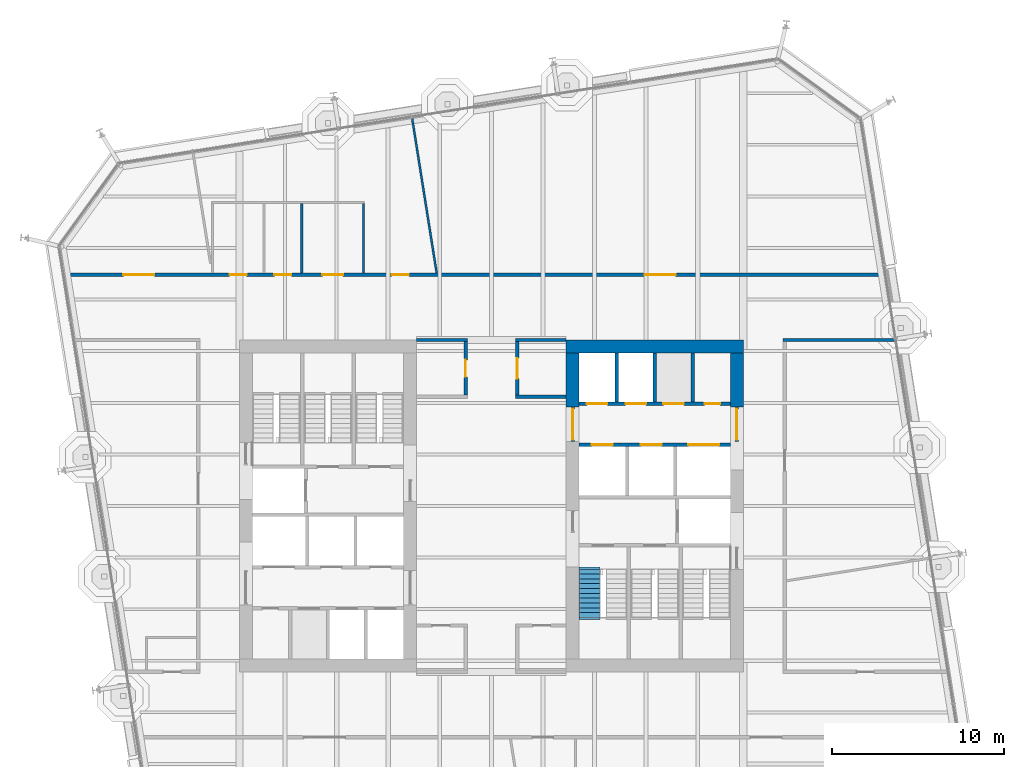
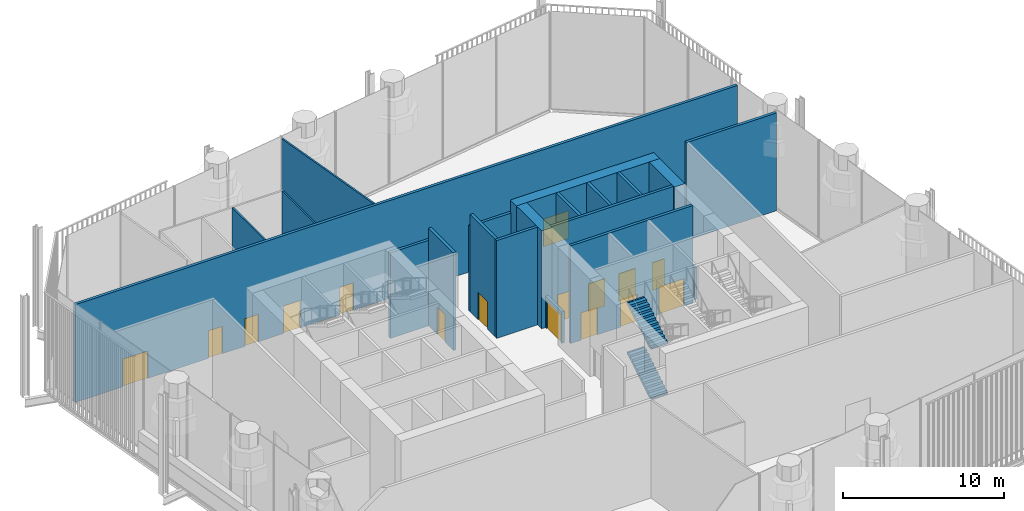
# One storey, part 13 of 19: 20 walls, 17 doors, 2 stair flights, 17 openings, 1 element without a shape of its own.
"""IFC4 building model written with IfcOpenShell, lengths in metres."""

from ifc_helpers import new_model, si_unit, direction, frame, frame_2d, origin, place, context, subcontext, project, spatial, polyline, rectangle, outline, extrude, material, layer, layer_set, type_object, element, fill, aggregate, save


model = new_model("IFC4")

# Units and contexts
model_context = context("Model", 3, precision=1e-05, world=origin(), true_north=direction((0.0, 1.0)))
body_context = subcontext(model_context, "Body", "Model", "MODEL_VIEW")
ifc_project = project(units=[si_unit("LENGTHUNIT", "METRE"), si_unit("AREAUNIT", "SQUARE_METRE"), si_unit("VOLUMEUNIT", "CUBIC_METRE"), si_unit("PLANEANGLEUNIT", "RADIAN"), si_unit("MASSUNIT", "GRAM", prefix="KILO")], contexts=[model_context])

# Site, building, storey
site_placement = place(None, origin())
site = spatial("IfcSite", under=ifc_project, at=site_placement, CompositionType="ELEMENT")
building_placement = place(site_placement, origin())
building = spatial("IfcBuilding", under=site, at=building_placement, Name="Millrace Tower", CompositionType="ELEMENT")
storey_placement = place(building_placement, frame((0.0, 0.0, 172.39990234375)))
storey = spatial("IfcBuildingStorey", under=building, at=storey_placement, Name="L39", CompositionType="ELEMENT", Elevation=172.39990234375)

# Walls
ifc_material_1 = material(Name="Concrete C70", Category="concrete")
ifc_layer_1 = layer(ifc_material_1, 0.75)
ifc_layer_set_1 = layer_set([ifc_layer_1], Name="Concrete C70")
wall_type_1 = type_object("IfcWallType", Name="Core wall 750 Concrete C70", PredefinedType="SHEAR", material=ifc_layer_set_1)
wall_1_placement = place(storey_placement, frame((14.64990234375, 9.27490234375, 0.0), z_axis=(0.0, 0.0, 1.0), x_axis=(-1.0, 0.0, 0.0)))
element("IfcWall", 1, at=wall_1_placement, inside=storey, type_object=wall_type_1, Name="Core wall E L39", PredefinedType="SHEAR", context=body_context, shape_type="SweptSolid", body=[
    extrude(rectangle(XDim=10.2998046875, YDim=0.75, at=frame_2d((5.14990234375, 0.0))), origin(), (0.0, 0.0, 1.0), 7.440185546875),
])
for number, where, z_axis, x_axis, name in (
    (2, (14.27490234375, 8.89990234375, 0.0), (0.0, 0.0, 1.0), (0.0, -1.0, 0.0), "Core wall E L39"),
    (3, (4.72509765625, 8.89990234375, 0.0), (0.0, 0.0, 1.0), (0.0, -1.0, 0.0), "Core wall E L39"),
):
    element("IfcWall", number, at=place(storey_placement, frame(where, z_axis=z_axis, x_axis=x_axis)), inside=storey, type_object=wall_type_1, Name=name, PredefinedType="SHEAR", context=body_context, shape_type="SweptSolid", body=[
        extrude(rectangle(XDim=3.14990234375, YDim=0.75, at=frame_2d((1.574951171875, 0.0))), origin(), (0.0, 0.0, 1.0), 7.440185546875),
    ])
ifc_material_2 = material(Name="Masonry partition, fire-rated", Category="masonry")
ifc_layer_2 = layer(ifc_material_2, 0.199951171875)
ifc_layer_set_2 = layer_set([ifc_layer_2], Name="Masonry partition, fire-rated")
wall_type_2 = type_object("IfcWallType", Name="Corridor wall 200", PredefinedType="PARTITIONING", material=ifc_layer_set_2)
wall_2_placement = place(storey_placement, frame((1.39990234375, 6.35009765625, 0.0), z_axis=(0.0, 0.0, 1.0), x_axis=(1.0, 0.0, 0.0)))
element("IfcWall", 4, at=wall_2_placement, inside=storey, type_object=wall_type_2, Name="Corridor wall L39", PredefinedType="PARTITIONING", context=body_context, shape_type="SweptSolid", body=[
    extrude(rectangle(XDim=2.9501953125, YDim=0.199951171875, at=frame_2d((1.47509765625, 0.0))), origin(), (0.0, 0.0, 1.0), 7.440185546875),
])
for number, where, z_axis, x_axis, name in (
    (5, (-4.35009765625, 9.64990234375, 0.0), (0.0, 0.0, 1.0), (1.0, 0.0, 0.0), "Corridor wall L39"),
    (6, (1.39990234375, 9.64990234375, 0.0), (0.0, 0.0, 1.0), (1.0, 0.0, 0.0), "Corridor wall L39"),
):
    element("IfcWall", number, at=place(storey_placement, frame(where, z_axis=z_axis, x_axis=x_axis)), inside=storey, type_object=wall_type_2, Name=name, PredefinedType="PARTITIONING", context=body_context, shape_type="SweptSolid", body=[
        extrude(rectangle(XDim=2.9501953125, YDim=0.199951171875, at=frame_2d((1.47509765625, 0.0))), origin(), (0.0, 0.0, 1.0), 6.512939453125),
    ])
wall_3_placement = place(storey_placement, frame((16.949951171875, 9.64990234375, 0.0), z_axis=(0.0, 0.0, 1.0), x_axis=(1.0, 0.0, 0.0)))
element("IfcWall", 7, at=wall_3_placement, inside=storey, type_object=wall_type_2, Name="Corridor wall L39", PredefinedType="PARTITIONING", context=body_context, shape_type="SweptSolid", body=[
    extrude(rectangle(XDim=6.489501953125, YDim=0.199951171875, at=frame_2d((3.24462890625, 0.0))), origin(), (0.0, 0.0, 1.0), 7.440185546875),
])

# Wall, openings, doors
wall_4_placement = place(storey_placement, frame((-24.80908203125, 13.449951171875, 0.0), z_axis=(0.0, 0.0, 1.0), x_axis=(1.0, 0.0, 0.0)))
wall_4 = element("IfcWall", 8, at=wall_4_placement, inside=storey, type_object=wall_type_2, Name="Corridor wall L39", PredefinedType="PARTITIONING", context=body_context, shape_type="SweptSolid", body=[
    extrude(rectangle(XDim=47.646728515625, YDim=0.199951171875, at=frame_2d((23.8232421875, 0.0))), origin(), (0.0, 0.0, 1.0), 7.440185546875),
])
opening_1_placement = place(wall_4_placement, frame((3.41845703125, 0.0, 0.0)))
opening_1 = element("IfcOpeningElement", 9, at=opening_1_placement, cuts=wall_4, Name="Opening 39-P005", PredefinedType="OPENING", context=body_context, shape_type="SweptSolid", body=[
    extrude(rectangle(XDim=1.800048828125, YDim=2.10009765625, at=frame_2d((0.89990234375, 1.050048828125))), frame((0.0, 0.10986328125, 0.0), z_axis=(0.0, -1.0, 0.0), x_axis=(1.0, 0.0, 0.0)), (0.0, 0.0, 1.0), 0.219970703125),
])
opening_2_placement = place(wall_4_placement, frame((19.01611328125, 0.0, 0.0)))
opening_2 = element("IfcOpeningElement", 10, at=opening_2_placement, cuts=wall_4, Name="Opening 39-P006", PredefinedType="OPENING", context=body_context, shape_type="SweptSolid", body=[
    extrude(rectangle(XDim=1.0, YDim=2.10009765625, at=frame_2d((0.5, 1.050048828125))), frame((0.0, 0.10986328125, 0.0), z_axis=(0.0, -1.0, 0.0), x_axis=(1.0, 0.0, 0.0)), (0.0, 0.0, 1.0), 0.219970703125),
])
opening_3_placement = place(wall_4_placement, frame((9.5859375, 0.0, 0.0)))
opening_3 = element("IfcOpeningElement", 11, at=opening_3_placement, cuts=wall_4, Name="Opening 39-P007", PredefinedType="OPENING", context=body_context, shape_type="SweptSolid", body=[
    extrude(rectangle(XDim=1.0, YDim=2.10009765625, at=frame_2d((0.5, 1.050048828125))), frame((0.0, 0.10986328125, 0.0), z_axis=(0.0, -1.0, 0.0), x_axis=(1.0, 0.0, 0.0)), (0.0, 0.0, 1.0), 0.219970703125),
])
opening_4_placement = place(wall_4_placement, frame((12.18603515625, 0.0, 0.0)))
opening_4 = element("IfcOpeningElement", 12, at=opening_4_placement, cuts=wall_4, Name="Opening 39-P008", PredefinedType="OPENING", context=body_context, shape_type="SweptSolid", body=[
    extrude(rectangle(XDim=1.0, YDim=2.10009765625, at=frame_2d((0.5, 1.050048828125))), frame((0.0, 0.10986328125, 0.0), z_axis=(0.0, -1.0, 0.0), x_axis=(1.0, 0.0, 0.0)), (0.0, 0.0, 1.0), 0.219970703125),
])
opening_5_placement = place(wall_4_placement, frame((14.986083984375, 0.0, 0.0)))
opening_5 = element("IfcOpeningElement", 13, at=opening_5_placement, cuts=wall_4, Name="Opening 39-P009", PredefinedType="OPENING", context=body_context, shape_type="SweptSolid", body=[
    extrude(rectangle(XDim=1.199951171875, YDim=2.10009765625, at=frame_2d((0.60009765625, 1.050048828125))), frame((0.0, 0.10986328125, 0.0), z_axis=(0.0, -1.0, 0.0), x_axis=(1.0, 0.0, 0.0)), (0.0, 0.0, 1.0), 0.219970703125),
])
opening_6_placement = place(wall_4_placement, frame((33.720947265625, 0.0, 0.0)))
opening_6 = element("IfcOpeningElement", 14, at=opening_6_placement, cuts=wall_4, Name="Opening 39-P010", PredefinedType="OPENING", context=body_context, shape_type="SweptSolid", body=[
    extrude(rectangle(XDim=1.800048828125, YDim=2.10009765625, at=frame_2d((0.89990234375, 1.050048828125))), frame((0.0, 0.10986328125, 0.0), z_axis=(0.0, -1.0, 0.0), x_axis=(1.0, 0.0, 0.0)), (0.0, 0.0, 1.0), 0.219970703125),
])
ifc_material_3 = material(Name="Steel door set, fire-rated", Category="steel")
door_type_1 = type_object("IfcDoorType", Name="Corridor door 1000 x 2100", OperationType="SINGLE_SWING_LEFT", PredefinedType="DOOR", material=ifc_material_3)
door_1_placement = place(opening_2_placement, origin())
door_1 = element("IfcDoor", 15, at=door_1_placement, inside=storey, type_object=door_type_1, Name="Door 39-P006", OperationType="SINGLE_SWING_LEFT", OverallHeight=2.10009765625, OverallWidth=1.0, PredefinedType="DOOR", context=body_context, shape_type="SweptSolid", body=[
    extrude(rectangle(XDim=1.0, YDim=2.10009765625, at=frame_2d((0.5, 1.050048828125))), frame((0.0, 0.02490234375, 0.0), z_axis=(0.0, -1.0, 0.0), x_axis=(1.0, 0.0, 0.0)), (0.0, 0.0, 1.0), 0.050048828125),
])
fill(opening_2, door_1)
door_2_placement = place(opening_3_placement, origin())
door_2 = element("IfcDoor", 16, at=door_2_placement, inside=storey, type_object=door_type_1, Name="Door 39-P007", OperationType="SINGLE_SWING_LEFT", OverallHeight=2.10009765625, OverallWidth=1.0, PredefinedType="DOOR", context=body_context, shape_type="SweptSolid", body=[
    extrude(rectangle(XDim=1.0, YDim=2.10009765625, at=frame_2d((0.5, 1.050048828125))), frame((0.0, 0.02490234375, 0.0), z_axis=(0.0, -1.0, 0.0), x_axis=(1.0, 0.0, 0.0)), (0.0, 0.0, 1.0), 0.050048828125),
])
fill(opening_3, door_2)
door_3_placement = place(opening_4_placement, origin())
door_3 = element("IfcDoor", 17, at=door_3_placement, inside=storey, type_object=door_type_1, Name="Door 39-P008", OperationType="SINGLE_SWING_LEFT", OverallHeight=2.10009765625, OverallWidth=1.0, PredefinedType="DOOR", context=body_context, shape_type="SweptSolid", body=[
    extrude(rectangle(XDim=1.0, YDim=2.10009765625, at=frame_2d((0.5, 1.050048828125))), frame((0.0, 0.02490234375, 0.0), z_axis=(0.0, -1.0, 0.0), x_axis=(1.0, 0.0, 0.0)), (0.0, 0.0, 1.0), 0.050048828125),
])
fill(opening_4, door_3)
ifc_material_4 = material(Name="Steel door set, fire-rated", Category="steel")
door_type_2 = type_object("IfcDoorType", Name="Corridor door 1200 x 2100", OperationType="SINGLE_SWING_LEFT", PredefinedType="DOOR", material=ifc_material_4)
door_4_placement = place(opening_5_placement, origin())
door_4 = element("IfcDoor", 18, at=door_4_placement, inside=storey, type_object=door_type_2, Name="Door 39-P009", OperationType="SINGLE_SWING_LEFT", OverallHeight=2.10009765625, OverallWidth=1.199951171875, PredefinedType="DOOR", context=body_context, shape_type="SweptSolid", body=[
    extrude(rectangle(XDim=1.199951171875, YDim=2.10009765625, at=frame_2d((0.60009765625, 1.050048828125))), frame((0.0, 0.02490234375, 0.0), z_axis=(0.0, -1.0, 0.0), x_axis=(1.0, 0.0, 0.0)), (0.0, 0.0, 1.0), 0.050048828125),
])
fill(opening_5, door_4)
ifc_material_5 = material(Name="Steel door set, fire-rated", Category="steel")
door_type_3 = type_object("IfcDoorType", Name="Corridor door 1800 x 2100", OperationType="DOUBLE_DOOR_SINGLE_SWING", PredefinedType="DOOR", material=ifc_material_5)
door_5_placement = place(opening_1_placement, origin())
door_5 = element("IfcDoor", 19, at=door_5_placement, inside=storey, type_object=door_type_3, Name="Door 39-P005", OperationType="DOUBLE_DOOR_SINGLE_SWING", OverallHeight=2.10009765625, OverallWidth=1.800048828125, PredefinedType="DOOR", context=body_context, shape_type="SweptSolid", body=[
    extrude(rectangle(XDim=1.800048828125, YDim=2.10009765625, at=frame_2d((0.89990234375, 1.050048828125))), frame((0.0, 0.02490234375, 0.0), z_axis=(0.0, -1.0, 0.0), x_axis=(1.0, 0.0, 0.0)), (0.0, 0.0, 1.0), 0.050048828125),
])
fill(opening_1, door_5)
door_6_placement = place(opening_6_placement, frame((1.800048828125, 0.0, 0.0), z_axis=(0.0, 0.0, 1.0), x_axis=(-1.0, 0.0, 0.0)))
door_6 = element("IfcDoor", 20, at=door_6_placement, inside=storey, type_object=door_type_3, Name="Door 39-P010", OperationType="DOUBLE_DOOR_SINGLE_SWING", OverallHeight=2.10009765625, OverallWidth=1.800048828125, PredefinedType="DOOR", context=body_context, shape_type="SweptSolid", body=[
    extrude(rectangle(XDim=1.800048828125, YDim=2.10009765625, at=frame_2d((0.89990234375, 1.050048828125))), frame((0.0, 0.02490234375, 0.0), z_axis=(0.0, -1.0, 0.0), x_axis=(1.0, 0.0, 0.0)), (0.0, 0.0, 1.0), 0.050048828125),
])
fill(opening_6, door_6)

# Wall, opening, door
wall_5_placement = place(storey_placement, frame((1.5, 6.449951171875, 0.0), z_axis=(0.0, 0.0, 1.0), x_axis=(0.0, 1.0, 0.0)))
wall_5 = element("IfcWall", 21, at=wall_5_placement, inside=storey, type_object=wall_type_2, Name="Corridor wall L39", PredefinedType="PARTITIONING", context=body_context, shape_type="SweptSolid", body=[
    extrude(rectangle(XDim=3.10009765625, YDim=0.199951171875, at=frame_2d((1.550048828125, 0.0))), origin(), (0.0, 0.0, 1.0), 7.440185546875),
])
opening_7_placement = place(wall_5_placement, frame((0.949951171875, 0.0, 0.0)))
opening_7 = element("IfcOpeningElement", 22, at=opening_7_placement, cuts=wall_5, Name="Opening 39-P002", PredefinedType="OPENING", context=body_context, shape_type="SweptSolid", body=[
    extrude(rectangle(XDim=1.199951171875, YDim=2.10009765625, at=frame_2d((0.60009765625, 1.050048828125))), frame((0.0, 0.10986328125, 0.0), z_axis=(0.0, -1.0, 0.0), x_axis=(1.0, 0.0, 0.0)), (0.0, 0.0, 1.0), 0.219970703125),
])
door_7_placement = place(opening_7_placement, frame((1.199951171875, 0.0, 0.0), z_axis=(0.0, 0.0, 1.0), x_axis=(-1.0, 0.0, 0.0)))
door_7 = element("IfcDoor", 23, at=door_7_placement, inside=storey, type_object=door_type_2, Name="Door 39-P002", OperationType="SINGLE_SWING_LEFT", OverallHeight=2.10009765625, OverallWidth=1.199951171875, PredefinedType="DOOR", context=body_context, shape_type="SweptSolid", body=[
    extrude(rectangle(XDim=1.199951171875, YDim=2.10009765625, at=frame_2d((0.60009765625, 1.050048828125))), frame((0.0, 0.02490234375, 0.0), z_axis=(0.0, -1.0, 0.0), x_axis=(1.0, 0.0, 0.0)), (0.0, 0.0, 1.0), 0.050048828125),
])
fill(opening_7, door_7)

wall_6_placement = place(storey_placement, frame((-1.5, 6.449951171875, 0.0), z_axis=(0.0, 0.0, 1.0), x_axis=(0.0, 1.0, 0.0)))
wall_6 = element("IfcWall", 24, at=wall_6_placement, inside=storey, type_object=wall_type_2, Name="Corridor wall L39", PredefinedType="PARTITIONING", context=body_context, shape_type="SweptSolid", body=[
    extrude(rectangle(XDim=3.10009765625, YDim=0.199951171875, at=frame_2d((1.550048828125, 0.0))), origin(), (0.0, 0.0, 1.0), 7.440185546875),
])
opening_8_placement = place(wall_6_placement, frame((1.050048828125, 0.0, 0.0)))
opening_8 = element("IfcOpeningElement", 25, at=opening_8_placement, cuts=wall_6, Name="Opening 39-P001", PredefinedType="OPENING", context=body_context, shape_type="SweptSolid", body=[
    extrude(rectangle(XDim=1.0, YDim=2.10009765625, at=frame_2d((0.5, 1.050048828125))), frame((0.0, 0.10986328125, 0.0), z_axis=(0.0, -1.0, 0.0), x_axis=(1.0, 0.0, 0.0)), (0.0, 0.0, 1.0), 0.219970703125),
])
door_8_placement = place(opening_8_placement, origin())
door_8 = element("IfcDoor", 26, at=door_8_placement, inside=storey, type_object=door_type_1, Name="Door 39-P001", OperationType="SINGLE_SWING_RIGHT", OverallHeight=2.10009765625, OverallWidth=1.0, PredefinedType="DOOR", context=body_context, shape_type="SweptSolid", body=[
    extrude(rectangle(XDim=1.0, YDim=2.10009765625, at=frame_2d((0.5, 1.050048828125))), frame((0.0, 0.02490234375, 0.0), z_axis=(0.0, -1.0, 0.0), x_axis=(1.0, 0.0, 0.0)), (0.0, 0.0, 1.0), 0.050048828125),
])
fill(opening_8, door_8)

# Wall, openings, doors
ifc_material_6 = material(Name="Masonry partition, fire-rated", Category="masonry")
ifc_layer_3 = layer(ifc_material_6, 0.199951171875)
ifc_layer_set_3 = layer_set([ifc_layer_3], Name="Masonry partition, fire-rated")
wall_type_3 = type_object("IfcWallType", Name="Lift shaft wall 200", PredefinedType="PARTITIONING", material=ifc_layer_set_3)
wall_7_placement = place(storey_placement, frame((13.89990234375, 5.949951171875, 0.0), z_axis=(0.0, 0.0, 1.0), x_axis=(-1.0, 0.0, 0.0)))
wall_7 = element("IfcWall", 27, at=wall_7_placement, inside=storey, type_object=wall_type_3, Name="Lift shaft wall E L39", PredefinedType="PARTITIONING", context=body_context, shape_type="SweptSolid", body=[
    extrude(rectangle(XDim=8.7998046875, YDim=0.199951171875, at=frame_2d((4.39990234375, 0.0))), origin(), (0.0, 0.0, 1.0), 7.440185546875),
])
opening_9_placement = place(wall_7_placement, frame((2.699951171875, 0.0, 0.0)))
opening_9 = element("IfcOpeningElement", 28, at=opening_9_placement, cuts=wall_7, Name="Opening 39-LD10", PredefinedType="OPENING", context=body_context, shape_type="SweptSolid", body=[
    extrude(rectangle(XDim=1.199951171875, YDim=2.10009765625, at=frame_2d((0.60009765625, 1.050048828125))), frame((0.0, 0.10986328125, 0.0), z_axis=(0.0, -1.0, 0.0), x_axis=(1.0, 0.0, 0.0)), (0.0, 0.0, 1.0), 0.219970703125),
])
opening_10_placement = place(wall_7_placement, frame((4.89990234375, 0.0, 0.0)))
opening_10 = element("IfcOpeningElement", 29, at=opening_10_placement, cuts=wall_7, Name="Opening 39-LD11", PredefinedType="OPENING", context=body_context, shape_type="SweptSolid", body=[
    extrude(rectangle(XDim=1.199951171875, YDim=2.10009765625, at=frame_2d((0.60009765625, 1.050048828125))), frame((0.0, 0.10986328125, 0.0), z_axis=(0.0, -1.0, 0.0), x_axis=(1.0, 0.0, 0.0)), (0.0, 0.0, 1.0), 0.219970703125),
])
opening_11_placement = place(wall_7_placement, frame((7.14990234375, 0.0, 0.0)))
opening_11 = element("IfcOpeningElement", 30, at=opening_11_placement, cuts=wall_7, Name="Opening 39-LD12", PredefinedType="OPENING", context=body_context, shape_type="SweptSolid", body=[
    extrude(rectangle(XDim=1.199951171875, YDim=2.10009765625, at=frame_2d((0.60009765625, 1.050048828125))), frame((0.0, 0.10986328125, 0.0), z_axis=(0.0, -1.0, 0.0), x_axis=(1.0, 0.0, 0.0)), (0.0, 0.0, 1.0), 0.219970703125),
])
opening_12_placement = place(wall_7_placement, frame((0.60009765625, 0.0, 0.0)))
opening_12 = element("IfcOpeningElement", 31, at=opening_12_placement, cuts=wall_7, Name="Opening 39-C012", PredefinedType="OPENING", context=body_context, shape_type="SweptSolid", body=[
    extrude(rectangle(XDim=0.89990234375, YDim=2.10009765625, at=frame_2d((0.449951171875, 1.050048828125))), frame((0.0, 0.10986328125, 0.0), z_axis=(0.0, -1.0, 0.0), x_axis=(1.0, 0.0, 0.0)), (0.0, 0.0, 1.0), 0.219970703125),
])
ifc_material_7 = material(Name="Stainless steel, fire-rated", Category="steel")
door_type_4 = type_object("IfcDoorType", Name="Lift landing door 1200 x 2100", OperationType="DOUBLE_DOOR_SLIDING", PredefinedType="DOOR", material=ifc_material_7)
door_9_placement = place(opening_9_placement, origin())
door_9 = element("IfcDoor", 32, at=door_9_placement, inside=storey, type_object=door_type_4, Name="Lift landing door LF10 L39", OperationType="DOUBLE_DOOR_SLIDING", OverallHeight=2.10009765625, OverallWidth=1.199951171875, PredefinedType="DOOR", context=body_context, shape_type="SweptSolid", body=[
    extrude(rectangle(XDim=1.199951171875, YDim=2.10009765625, at=frame_2d((0.60009765625, 1.050048828125))), frame((0.0, 0.02490234375, 0.0), z_axis=(0.0, -1.0, 0.0), x_axis=(1.0, 0.0, 0.0)), (0.0, 0.0, 1.0), 0.050048828125),
])
fill(opening_9, door_9)
door_10_placement = place(opening_10_placement, origin())
door_10 = element("IfcDoor", 33, at=door_10_placement, inside=storey, type_object=door_type_4, Name="Lift landing door LF11 L39", OperationType="DOUBLE_DOOR_SLIDING", OverallHeight=2.10009765625, OverallWidth=1.199951171875, PredefinedType="DOOR", context=body_context, shape_type="SweptSolid", body=[
    extrude(rectangle(XDim=1.199951171875, YDim=2.10009765625, at=frame_2d((0.60009765625, 1.050048828125))), frame((0.0, 0.02490234375, 0.0), z_axis=(0.0, -1.0, 0.0), x_axis=(1.0, 0.0, 0.0)), (0.0, 0.0, 1.0), 0.050048828125),
])
fill(opening_10, door_10)
door_11_placement = place(opening_11_placement, origin())
door_11 = element("IfcDoor", 34, at=door_11_placement, inside=storey, type_object=door_type_4, Name="Lift landing door LF12 L39", OperationType="DOUBLE_DOOR_SLIDING", OverallHeight=2.10009765625, OverallWidth=1.199951171875, PredefinedType="DOOR", context=body_context, shape_type="SweptSolid", body=[
    extrude(rectangle(XDim=1.199951171875, YDim=2.10009765625, at=frame_2d((0.60009765625, 1.050048828125))), frame((0.0, 0.02490234375, 0.0), z_axis=(0.0, -1.0, 0.0), x_axis=(1.0, 0.0, 0.0)), (0.0, 0.0, 1.0), 0.050048828125),
])
fill(opening_11, door_11)
ifc_material_8 = material(Name="Steel door, fire-rated", Category="steel")
door_type_5 = type_object("IfcDoorType", Name="Service room door 900 x 2100", OperationType="SINGLE_SWING_LEFT", PredefinedType="DOOR", material=ifc_material_8)
door_12_placement = place(opening_12_placement, frame((0.89990234375, 0.0, 0.0), z_axis=(0.0, 0.0, 1.0), x_axis=(-1.0, 0.0, 0.0)))
door_12 = element("IfcDoor", 35, at=door_12_placement, inside=storey, type_object=door_type_5, Name="Service room door 39-C012", OperationType="SINGLE_SWING_RIGHT", OverallHeight=2.10009765625, OverallWidth=0.89990234375, PredefinedType="DOOR", context=body_context, shape_type="SweptSolid", body=[
    extrude(rectangle(XDim=0.89990234375, YDim=2.10009765625, at=frame_2d((0.449951171875, 1.050048828125))), frame((0.0, 0.02490234375, 0.0), z_axis=(0.0, -1.0, 0.0), x_axis=(1.0, 0.0, 0.0)), (0.0, 0.0, 1.0), 0.050048828125),
])
fill(opening_12, door_12)

wall_8_placement = place(storey_placement, frame((13.89990234375, 3.550048828125, 0.0), z_axis=(0.0, 0.0, 1.0), x_axis=(-1.0, 0.0, 0.0)))
wall_8 = element("IfcWall", 36, at=wall_8_placement, inside=storey, type_object=wall_type_3, Name="Lift shaft wall E L39", PredefinedType="PARTITIONING", context=body_context, shape_type="SweptSolid", body=[
    extrude(rectangle(XDim=8.7998046875, YDim=0.199951171875, at=frame_2d((4.39990234375, 0.0))), origin(), (0.0, 0.0, 1.0), 7.440185546875),
])
opening_13_placement = place(wall_8_placement, frame((0.64990234375, 0.0, 0.0)))
opening_13 = element("IfcOpeningElement", 37, at=opening_13_placement, cuts=wall_8, Name="Opening 39-LD13", PredefinedType="OPENING", context=body_context, shape_type="SweptSolid", body=[
    extrude(rectangle(XDim=1.800048828125, YDim=2.10009765625, at=frame_2d((0.89990234375, 1.050048828125))), frame((0.0, 0.10986328125, 0.0), z_axis=(0.0, -1.0, 0.0), x_axis=(1.0, 0.0, 0.0)), (0.0, 0.0, 1.0), 0.219970703125),
])
opening_14_placement = place(wall_8_placement, frame((4.0, 0.0, 0.0)))
opening_14 = element("IfcOpeningElement", 38, at=opening_14_placement, cuts=wall_8, Name="Opening 39-LD14", PredefinedType="OPENING", context=body_context, shape_type="SweptSolid", body=[
    extrude(rectangle(XDim=1.199951171875, YDim=2.10009765625, at=frame_2d((0.60009765625, 1.050048828125))), frame((0.0, 0.10986328125, 0.0), z_axis=(0.0, -1.0, 0.0), x_axis=(1.0, 0.0, 0.0)), (0.0, 0.0, 1.0), 0.219970703125),
])
opening_15_placement = place(wall_8_placement, frame((6.85009765625, 0.0, 0.0)))
opening_15 = element("IfcOpeningElement", 39, at=opening_15_placement, cuts=wall_8, Name="Opening 39-LD15", PredefinedType="OPENING", context=body_context, shape_type="SweptSolid", body=[
    extrude(rectangle(XDim=1.199951171875, YDim=2.10009765625, at=frame_2d((0.60009765625, 1.050048828125))), frame((0.0, 0.10986328125, 0.0), z_axis=(0.0, -1.0, 0.0), x_axis=(1.0, 0.0, 0.0)), (0.0, 0.0, 1.0), 0.219970703125),
])
door_13_placement = place(opening_14_placement, origin())
door_13 = element("IfcDoor", 40, at=door_13_placement, inside=storey, type_object=door_type_4, Name="Lift landing door LF14 L39", OperationType="DOUBLE_DOOR_SLIDING", OverallHeight=2.10009765625, OverallWidth=1.199951171875, PredefinedType="DOOR", context=body_context, shape_type="SweptSolid", body=[
    extrude(rectangle(XDim=1.199951171875, YDim=2.10009765625, at=frame_2d((0.60009765625, 1.050048828125))), frame((0.0, 0.02490234375, 0.0), z_axis=(0.0, -1.0, 0.0), x_axis=(1.0, 0.0, 0.0)), (0.0, 0.0, 1.0), 0.050048828125),
])
fill(opening_14, door_13)
door_14_placement = place(opening_15_placement, origin())
door_14 = element("IfcDoor", 41, at=door_14_placement, inside=storey, type_object=door_type_4, Name="Lift landing door LF15 L39", OperationType="DOUBLE_DOOR_SLIDING", OverallHeight=2.10009765625, OverallWidth=1.199951171875, PredefinedType="DOOR", context=body_context, shape_type="SweptSolid", body=[
    extrude(rectangle(XDim=1.199951171875, YDim=2.10009765625, at=frame_2d((0.60009765625, 1.050048828125))), frame((0.0, 0.02490234375, 0.0), z_axis=(0.0, -1.0, 0.0), x_axis=(1.0, 0.0, 0.0)), (0.0, 0.0, 1.0), 0.050048828125),
])
fill(opening_15, door_14)
ifc_material_9 = material(Name="Stainless steel, fire-rated", Category="steel")
door_type_6 = type_object("IfcDoorType", Name="Lift landing door 1800 x 2100", OperationType="DOUBLE_DOOR_SLIDING", PredefinedType="DOOR", material=ifc_material_9)
door_15_placement = place(opening_13_placement, origin())
door_15 = element("IfcDoor", 42, at=door_15_placement, inside=storey, type_object=door_type_6, Name="Lift landing door LF13 L39", OperationType="DOUBLE_DOOR_SLIDING", OverallHeight=2.10009765625, OverallWidth=1.800048828125, PredefinedType="DOOR", context=body_context, shape_type="SweptSolid", body=[
    extrude(rectangle(XDim=1.800048828125, YDim=2.10009765625, at=frame_2d((0.89990234375, 1.050048828125))), frame((0.0, 0.02490234375, 0.0), z_axis=(0.0, -1.0, 0.0), x_axis=(1.0, 0.0, 0.0)), (0.0, 0.0, 1.0), 0.050048828125),
])
fill(opening_13, door_15)

# Walls
for number, where, z_axis, x_axis, name in (
    (43, (11.699951171875, 8.89990234375, 0.0), (0.0, 0.0, 1.0), (0.0, -1.0, 0.0), "Lift shaft wall E L39"),
    (44, (9.5, 8.89990234375, 0.0), (0.0, 0.0, 1.0), (0.0, -1.0, 0.0), "Lift shaft wall E L39"),
    (45, (7.300048828125, 8.89990234375, 0.0), (0.0, 0.0, 1.0), (0.0, -1.0, 0.0), "Lift shaft wall E L39"),
):
    element("IfcWall", number, at=place(storey_placement, frame(where, z_axis=z_axis, x_axis=x_axis)), inside=storey, type_object=wall_type_3, Name=name, PredefinedType="PARTITIONING", context=body_context, shape_type="SweptSolid", body=[
        extrude(rectangle(XDim=2.849853515625, YDim=0.199951171875, at=frame_2d((1.4248046875, 0.0))), origin(), (0.0, 0.0, 1.0), 7.440185546875),
    ])

# Wall, opening, door
ifc_material_10 = material(Name="Masonry partition, fire-rated", Category="masonry")
ifc_layer_4 = layer(ifc_material_10, 0.199951171875)
ifc_layer_set_4 = layer_set([ifc_layer_4], Name="Masonry partition, fire-rated")
wall_type_4 = type_object("IfcWallType", Name="Lobby wall 200", PredefinedType="PARTITIONING", material=ifc_layer_set_4)
wall_9_placement = place(storey_placement, frame((14.27490234375, 5.75, 0.0), z_axis=(0.0, 0.0, 1.0), x_axis=(0.0, -1.0, 0.0)))
wall_9 = element("IfcWall", 46, at=wall_9_placement, inside=storey, type_object=wall_type_4, Name="Lobby wall E L39", PredefinedType="PARTITIONING", context=body_context, shape_type="SweptSolid", body=[
    extrude(rectangle(XDim=2.0, YDim=0.199951171875, at=frame_2d((1.0, 0.0))), origin(), (0.0, 0.0, 1.0), 2.400146484375),
])
opening_16_placement = place(wall_9_placement, frame((0.10009765625, 0.0, 0.0)))
opening_16 = element("IfcOpeningElement", 47, at=opening_16_placement, cuts=wall_9, Name="Opening 39-C008", PredefinedType="OPENING", context=body_context, shape_type="SweptSolid", body=[
    extrude(rectangle(XDim=1.800048828125, YDim=2.10009765625, at=frame_2d((0.89990234375, 1.050048828125))), frame((0.0, 0.10986328125, 0.0), z_axis=(0.0, -1.0, 0.0), x_axis=(1.0, 0.0, 0.0)), (0.0, 0.0, 1.0), 0.219970703125),
])
ifc_material_11 = material(Name="Steel door, fire-rated", Category="steel")
door_type_7 = type_object("IfcDoorType", Name="Lobby door 1800 x 2100", OperationType="DOUBLE_DOOR_SINGLE_SWING", PredefinedType="DOOR", material=ifc_material_11)
door_16_placement = place(opening_16_placement, origin())
door_16 = element("IfcDoor", 48, at=door_16_placement, inside=storey, type_object=door_type_7, Name="Lobby door 39-C008", OperationType="DOUBLE_DOOR_SINGLE_SWING", OverallHeight=2.10009765625, OverallWidth=1.800048828125, PredefinedType="DOOR", context=body_context, shape_type="SweptSolid", body=[
    extrude(rectangle(XDim=1.800048828125, YDim=2.10009765625, at=frame_2d((0.89990234375, 1.050048828125))), frame((0.0, 0.02490234375, 0.0), z_axis=(0.0, -1.0, 0.0), x_axis=(1.0, 0.0, 0.0)), (0.0, 0.0, 1.0), 0.050048828125),
])
fill(opening_16, door_16)

wall_10_placement = place(storey_placement, frame((4.72509765625, 5.75, 0.0), z_axis=(0.0, 0.0, 1.0), x_axis=(0.0, -1.0, 0.0)))
wall_10 = element("IfcWall", 49, at=wall_10_placement, inside=storey, type_object=wall_type_4, Name="Lobby wall E L39", PredefinedType="PARTITIONING", context=body_context, shape_type="SweptSolid", body=[
    extrude(rectangle(XDim=2.0, YDim=0.199951171875, at=frame_2d((1.0, 0.0))), origin(), (0.0, 0.0, 1.0), 2.400146484375),
])
opening_17_placement = place(wall_10_placement, frame((0.10009765625, 0.0, 0.0)))
opening_17 = element("IfcOpeningElement", 50, at=opening_17_placement, cuts=wall_10, Name="Opening 39-C010", PredefinedType="OPENING", context=body_context, shape_type="SweptSolid", body=[
    extrude(rectangle(XDim=1.800048828125, YDim=2.10009765625, at=frame_2d((0.89990234375, 1.050048828125))), frame((0.0, 0.10986328125, 0.0), z_axis=(0.0, -1.0, 0.0), x_axis=(1.0, 0.0, 0.0)), (0.0, 0.0, 1.0), 0.219970703125),
])
door_17_placement = place(opening_17_placement, origin())
door_17 = element("IfcDoor", 51, at=door_17_placement, inside=storey, type_object=door_type_7, Name="Lobby door 39-C010", OperationType="DOUBLE_DOOR_SINGLE_SWING", OverallHeight=2.10009765625, OverallWidth=1.800048828125, PredefinedType="DOOR", context=body_context, shape_type="SweptSolid", body=[
    extrude(rectangle(XDim=1.800048828125, YDim=2.10009765625, at=frame_2d((0.89990234375, 1.050048828125))), frame((0.0, 0.02490234375, 0.0), z_axis=(0.0, -1.0, 0.0), x_axis=(1.0, 0.0, 0.0)), (0.0, 0.0, 1.0), 0.050048828125),
])
fill(opening_17, door_17)

# Walls
ifc_material_12 = material(Name="Gypsum board partition")
ifc_layer_5 = layer(ifc_material_12, 0.1201171875)
ifc_layer_set_5 = layer_set([ifc_layer_5], Name="Gypsum board partition")
wall_type_5 = type_object("IfcWallType", Name="Partition wall 120", PredefinedType="PARTITIONING", material=ifc_layer_set_5)
wall_11_placement = place(storey_placement, frame((-4.607666015625, 22.553466796875, 0.0), z_axis=(0.0, 0.0, 1.0), x_axis=(0.156512566869, -0.987675967315, 0.0)))
element("IfcWall", 52, at=wall_11_placement, inside=storey, type_object=wall_type_5, Name="Partition wall L39", PredefinedType="PARTITIONING", context=body_context, shape_type="SweptSolid", body=[
    extrude(rectangle(XDim=9.117431640625, YDim=0.1201171875, at=frame_2d((4.55859375, 0.0))), origin(), (0.0, 0.0, 1.0), 7.440185546875),
])
for number, where, z_axis, x_axis, name in (
    (53, (-7.423095703125, 13.550048828125, 0.0), (0.0, 0.0, 1.0), (0.0, 1.0, 0.0), "Partition wall L39"),
    (54, (-11.02294921875, 13.550048828125, 0.0), (0.0, 0.0, 1.0), (0.0, 1.0, 0.0), "Partition wall L39"),
):
    element("IfcWall", number, at=place(storey_placement, frame(where, z_axis=z_axis, x_axis=x_axis)), inside=storey, type_object=wall_type_5, Name=name, PredefinedType="PARTITIONING", context=body_context, shape_type="SweptSolid", body=[
        extrude(rectangle(XDim=4.0400390625, YDim=0.1201171875, at=frame_2d((2.02001953125, 0.0))), origin(), (0.0, 0.0, 1.0), 7.440185546875),
    ])

# Stair, stair flights
ifc_material_13 = material(Name="Concrete C35", Category="concrete")
stair_type = type_object("IfcStairType", Name="Exit stair", PredefinedType="HALF_TURN_STAIR", material=ifc_material_13)
stair_placement = place(storey_placement, origin())
stair = element("IfcStair", 55, at=stair_placement, inside=storey, type_object=stair_type, Name="Stair 3 E L39", PredefinedType="HALF_TURN_STAIR")
ifc_material_14 = material(Name="Concrete C35", Category="concrete")
stair_flight_type = type_object("IfcStairFlightType", Name="Exit stair flight", PredefinedType="STRAIGHT", material=ifc_material_14)
stair_flight_1_placement = place(storey_placement, frame((5.7099609375, -6.47998046875, 1.900146484375), z_axis=(0.0, 0.0, 1.0), x_axis=(0.0, 1.0, 0.0)))
stair_flight_1 = element("IfcStairFlight", 56, at=stair_flight_1_placement, type_object=stair_flight_type, Name="ST12 flight 2", NumberOfRisers=11, NumberOfTreads=10, PredefinedType="STRAIGHT", RiserHeight=0.172727273, TreadLength=0.28, context=body_context, shape_type="SweptSolid", body=[
    extrude(outline(polyline([(-0.1201171875, -0.0400390625), (-0.1201171875, 0.0), (0.0, 0.0), (0.0, 0.172607421875), (0.280029296875, 0.172607421875), (0.280029296875, 0.345458984375), (0.56005859375, 0.345458984375), (0.56005859375, 0.51806640625), (0.840087890625, 0.51806640625), (0.840087890625, 0.69091796875), (1.1201171875, 0.69091796875), (1.1201171875, 0.863525390625), (1.39990234375, 0.863525390625), (1.39990234375, 1.036376953125), (1.679931640625, 1.036376953125), (1.679931640625, 1.208984375), (1.9599609375, 1.208984375), (1.9599609375, 1.3818359375), (2.239990234375, 1.3818359375), (2.239990234375, 1.554443359375), (2.52001953125, 1.554443359375), (2.52001953125, 1.727294921875), (2.800048828125, 1.727294921875), (2.800048828125, 1.747314453125), (2.919921875, 1.747314453125), (2.919921875, 1.551025390625), (2.800048828125, 1.551025390625), (0.285400390625, 0.0), (0.285400390625, -0.0400390625), (-0.1201171875, -0.0400390625)])), frame((0.0, 0.60986328125, 0.0), z_axis=(0.0, -1.0, 0.0), x_axis=(1.0, 0.0, 0.0)), (0.0, 0.0, 1.0), 1.219970703125),
])
stair_flight_2_placement = place(storey_placement, frame((5.7099609375, -6.47998046875, 5.7001953125), z_axis=(0.0, 0.0, 1.0), x_axis=(0.0, 1.0, 0.0)))
stair_flight_2 = element("IfcStairFlight", 57, at=stair_flight_2_placement, type_object=stair_flight_type, Name="ST12 flight 4", NumberOfRisers=11, NumberOfTreads=10, PredefinedType="STRAIGHT", RiserHeight=0.172727273, TreadLength=0.28, context=body_context, shape_type="SweptSolid", body=[
    extrude(outline(polyline([(-0.1201171875, -0.0400390625), (-0.1201171875, 0.0), (0.0, 0.0), (0.0, 0.172607421875), (0.280029296875, 0.172607421875), (0.280029296875, 0.345458984375), (0.56005859375, 0.345458984375), (0.56005859375, 0.51806640625), (0.840087890625, 0.51806640625), (0.840087890625, 0.69091796875), (1.1201171875, 0.69091796875), (1.1201171875, 0.863525390625), (1.39990234375, 0.863525390625), (1.39990234375, 1.036376953125), (1.679931640625, 1.036376953125), (1.679931640625, 1.208984375), (1.9599609375, 1.208984375), (1.9599609375, 1.3818359375), (2.239990234375, 1.3818359375), (2.239990234375, 1.554443359375), (2.52001953125, 1.554443359375), (2.52001953125, 1.727294921875), (2.800048828125, 1.727294921875), (2.800048828125, 1.747314453125), (2.919921875, 1.747314453125), (2.919921875, 1.551025390625), (2.800048828125, 1.551025390625), (0.285400390625, 0.0), (0.285400390625, -0.0400390625), (-0.1201171875, -0.0400390625)])), frame((0.0, 0.60986328125, 0.0), z_axis=(0.0, -1.0, 0.0), x_axis=(1.0, 0.0, 0.0)), (0.0, 0.0, 1.0), 1.219970703125),
])
aggregate(stair, [stair_flight_1, stair_flight_2])

save(model, "model.ifc")
